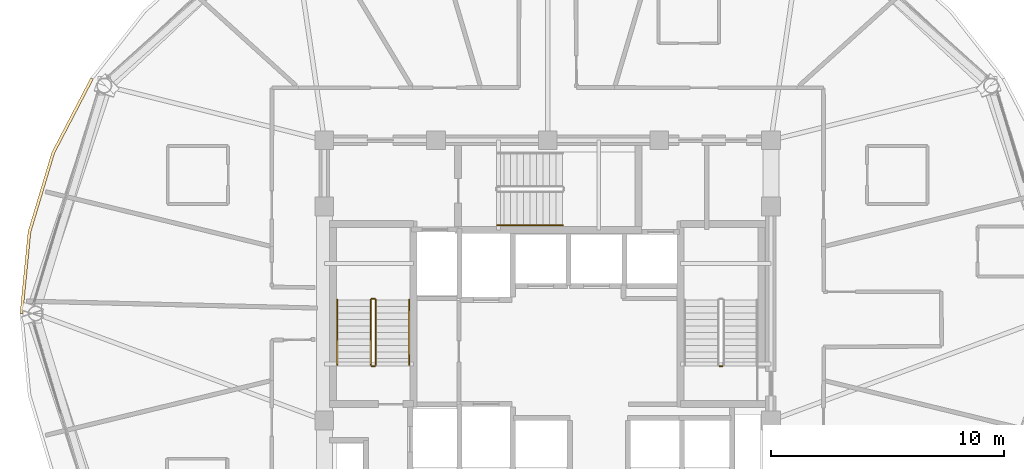
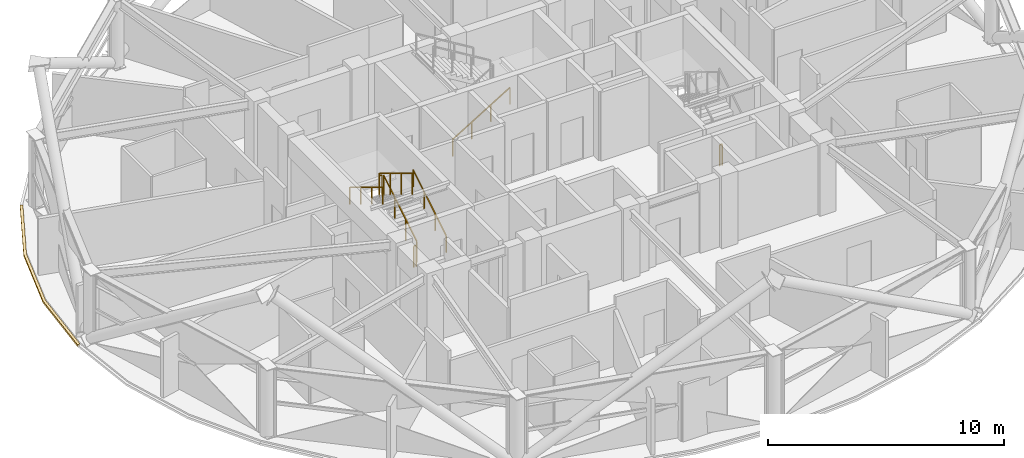
# One storey, part 27 of 29: 8 railings, 1 covering.
"""IFC4 building model written with IfcOpenShell, lengths in metres."""

from ifc_helpers import new_model, si_unit, direction, frame, origin, origin_2d, place, context, subcontext, project, spatial, polyline, rectangle, outline, extrude, material, layer, layer_set, type_object, element, save


model = new_model("IFC4")

# Units and contexts
model_context = context("Model", 3, precision=1e-05, world=origin(), true_north=direction((0.0, 1.0)))
body_context = subcontext(model_context, "Body", "Model", "MODEL_VIEW")
ifc_project = project(units=[si_unit("LENGTHUNIT", "METRE"), si_unit("AREAUNIT", "SQUARE_METRE"), si_unit("VOLUMEUNIT", "CUBIC_METRE"), si_unit("PLANEANGLEUNIT", "RADIAN"), si_unit("MASSUNIT", "GRAM", prefix="KILO")], contexts=[model_context])

# Site, building, storey
site_placement = place(None, origin())
site = spatial("IfcSite", under=ifc_project, at=site_placement, CompositionType="ELEMENT")
building_placement = place(site_placement, origin())
building = spatial("IfcBuilding", under=site, at=building_placement, Name="Vantalir Tower", CompositionType="ELEMENT")
storey_placement = place(building_placement, frame((0.0, 0.0, 227.39990234375)))
storey = spatial("IfcBuildingStorey", under=building, at=storey_placement, Name="L57", CompositionType="ELEMENT", Elevation=227.39990234375)

# Covering
ifc_material_1 = material(Name="Anodised champagne aluminium sill fascia", Category="aluminium")
ifc_layer = layer(ifc_material_1, 0.125)
ifc_layer_set = layer_set([ifc_layer], Name="Anodised champagne aluminium sill fascia")
covering_type = type_object("IfcCoveringType", Name="COV-SLAB-FASCIA-125", PredefinedType="CLADDING", material=ifc_layer_set)
covering_placement = place(storey_placement, frame((0.0, 0.0, -0.179931640625)))
element("IfcCovering", 1, at=covering_placement, inside=storey, type_object=covering_type, Name="L57 Perimeter Slab-Edge Sill Fascia 06", PredefinedType="CLADDING", context=body_context, shape_type="SweptSolid", body=[
    extrude(outline(polyline([(11.85205078125, 35.135009765625), (10.179931640625, 31.93310546875), (9.156982421875, 28.52001953125), (8.81201171875, 25.0), (8.93701171875, 25.0), (9.280029296875, 28.498046875), (10.298095703125, 31.889892578125), (11.9599609375, 35.072998046875), (11.85205078125, 35.135009765625)])), origin(), (0.0, 0.0, 1.0), 0.10498046875),
])

# Railings
ifc_material_2 = material(Name="Anodised aluminium and stainless steel guard", Category="steel")
railing_type_1 = type_object("IfcRailingType", Name="RAL-GUARD-1120", PredefinedType="GUARDRAIL", material=ifc_material_2)
railing_1_placement = place(storey_placement, frame((24.110107421875, 22.7900390625, 0.170654296875)))
element("IfcRailing", 2, at=railing_1_placement, inside=storey, type_object=railing_type_1, Name="L57 ST1 stair guard 1", PredefinedType="GUARDRAIL", context=body_context, shape_type="SweptSolid", body=[
    extrude(rectangle(XDim=0.048095703125, YDim=0.048095703125, at=origin_2d()), frame((0.0, 0.0, 1.09619140625), z_axis=(0.0, 0.854202870247, 0.519939858505), x_axis=(-1.0, 0.0, 0.0)), (0.0, 0.0, 1.0), 3.278076171875),
    extrude(rectangle(XDim=0.0419921875, YDim=0.0419921875, at=origin_2d()), origin(), (0.0, 0.0, 1.0), 1.072021484375),
    extrude(rectangle(XDim=0.0419921875, YDim=0.0419921875, at=origin_2d()), frame((0.0, 0.933349609375, 0.568115234375)), (0.0, 0.0, 1.0), 1.072021484375),
    extrude(rectangle(XDim=0.0419921875, YDim=0.0419921875, at=origin_2d()), frame((0.0, 1.86669921875, 1.13623046875)), (0.0, 0.0, 1.0), 1.072021484375),
    extrude(rectangle(XDim=0.0419921875, YDim=0.0419921875, at=origin_2d()), frame((0.0, 2.800048828125, 1.704345703125)), (0.0, 0.0, 1.0), 1.072021484375),
])
railing_2_placement = place(storey_placement, frame((24.06005859375, 25.639892578125, 1.875)))
element("IfcRailing", 3, at=railing_2_placement, inside=storey, type_object=railing_type_1, Name="L57 ST1 stair guard 2", PredefinedType="GUARDRAIL", context=body_context, shape_type="SweptSolid", body=[
    extrude(rectangle(XDim=0.048095703125, YDim=0.048095703125, at=origin_2d()), frame((0.0, 0.0, 1.09619140625), z_axis=(-1.0, 0.0, 0.0), x_axis=(0.0, -1.0, 0.0)), (0.0, 0.0, 1.0), 0.1201171875),
    extrude(rectangle(XDim=0.0419921875, YDim=0.0419921875, at=origin_2d()), origin(), (0.0, 0.0, 1.0), 1.072021484375),
    extrude(rectangle(XDim=0.0419921875, YDim=0.0419921875, at=origin_2d()), frame((-0.1201171875, 0.0, 0.0)), (0.0, 0.0, 1.0), 1.072021484375),
])
railing_3_placement = place(storey_placement, frame((23.889892578125, 25.590087890625, 2.045654296875)))
element("IfcRailing", 4, at=railing_3_placement, inside=storey, type_object=railing_type_1, Name="L57 ST1 stair guard 3", PredefinedType="GUARDRAIL", context=body_context, shape_type="SweptSolid", body=[
    extrude(rectangle(XDim=0.048095703125, YDim=0.048095703125, at=origin_2d()), frame((0.0, 0.0, 1.09619140625), z_axis=(0.0, -0.854202870247, 0.519939858505), x_axis=(1.0, 0.0, 0.0)), (0.0, 0.0, 1.0), 3.278076171875),
    extrude(rectangle(XDim=0.0419921875, YDim=0.0419921875, at=origin_2d()), origin(), (0.0, 0.0, 1.0), 1.072021484375),
    extrude(rectangle(XDim=0.0419921875, YDim=0.0419921875, at=origin_2d()), frame((0.0, -0.933349609375, 0.568115234375)), (0.0, 0.0, 1.0), 1.072021484375),
    extrude(rectangle(XDim=0.0419921875, YDim=0.0419921875, at=origin_2d()), frame((0.0, -1.86669921875, 1.13623046875)), (0.0, 0.0, 1.0), 1.072021484375),
    extrude(rectangle(XDim=0.0419921875, YDim=0.0419921875, at=origin_2d()), frame((0.0, -2.800048828125, 1.704345703125)), (0.0, 0.0, 1.0), 1.072021484375),
])
for number, where, name in (
    (5, (24.06005859375, 22.739990234375, 0.0), "L57 ST1 stair guard 4"),
    (6, (39.010009765625, 22.739990234375, 0.0), "L57 ST2 stair guard 4"),
):
    element("IfcRailing", number, at=place(storey_placement, frame(where)), inside=storey, type_object=railing_type_1, Name=name, PredefinedType="GUARDRAIL", context=body_context, shape_type="SweptSolid", body=[
        extrude(rectangle(XDim=0.048095703125, YDim=0.048095703125, at=origin_2d()), frame((0.0, 0.0, 1.09619140625), z_axis=(-1.0, 0.0, 0.0), x_axis=(0.0, -1.0, 0.0)), (0.0, 0.0, 1.0), 0.1201171875),
        extrude(rectangle(XDim=0.0419921875, YDim=0.0419921875, at=origin_2d()), origin(), (0.0, 0.0, 1.0), 1.072021484375),
        extrude(rectangle(XDim=0.0419921875, YDim=0.0419921875, at=origin_2d()), frame((-0.1201171875, 0.0, 0.0)), (0.0, 0.0, 1.0), 1.072021484375),
    ])
ifc_material_3 = material(Name="Brushed stainless steel tubular handrail", Category="steel")
railing_type_2 = type_object("IfcRailingType", Name="RAL-HANDRAIL-900", PredefinedType="HANDRAIL", material=ifc_material_3)
railing_4_placement = place(storey_placement, frame((25.550048828125, 22.7900390625, 0.170654296875)))
element("IfcRailing", 7, at=railing_4_placement, inside=storey, type_object=railing_type_2, Name="L57 ST1 stair handrail 1", PredefinedType="HANDRAIL", context=body_context, shape_type="SweptSolid", body=[
    extrude(rectangle(XDim=0.048095703125, YDim=0.048095703125, at=origin_2d()), frame((0.0, 0.0, 0.8759765625), z_axis=(0.0, 0.854202870247, 0.519939858505), x_axis=(-1.0, 0.0, 0.0)), (0.0, 0.0, 1.0), 3.278076171875),
    extrude(rectangle(XDim=0.0419921875, YDim=0.0419921875, at=origin_2d()), origin(), (0.0, 0.0, 1.0), 0.851806640625),
    extrude(rectangle(XDim=0.0419921875, YDim=0.0419921875, at=origin_2d()), frame((0.0, 0.933349609375, 0.568115234375)), (0.0, 0.0, 1.0), 0.851806640625),
    extrude(rectangle(XDim=0.0419921875, YDim=0.0419921875, at=origin_2d()), frame((0.0, 1.86669921875, 1.13623046875)), (0.0, 0.0, 1.0), 0.851806640625),
    extrude(rectangle(XDim=0.0419921875, YDim=0.0419921875, at=origin_2d()), frame((0.0, 2.800048828125, 1.704345703125)), (0.0, 0.0, 1.0), 0.851806640625),
])
railing_5_placement = place(storey_placement, frame((22.449951171875, 25.590087890625, 2.045654296875)))
element("IfcRailing", 8, at=railing_5_placement, inside=storey, type_object=railing_type_2, Name="L57 ST1 stair handrail 2", PredefinedType="HANDRAIL", context=body_context, shape_type="SweptSolid", body=[
    extrude(rectangle(XDim=0.048095703125, YDim=0.048095703125, at=origin_2d()), frame((0.0, 0.0, 0.8759765625), z_axis=(0.0, -0.854202870247, 0.519939858505), x_axis=(1.0, 0.0, 0.0)), (0.0, 0.0, 1.0), 3.278076171875),
    extrude(rectangle(XDim=0.0419921875, YDim=0.0419921875, at=origin_2d()), origin(), (0.0, 0.0, 1.0), 0.851806640625),
    extrude(rectangle(XDim=0.0419921875, YDim=0.0419921875, at=origin_2d()), frame((0.0, -0.933349609375, 0.568115234375)), (0.0, 0.0, 1.0), 0.851806640625),
    extrude(rectangle(XDim=0.0419921875, YDim=0.0419921875, at=origin_2d()), frame((0.0, -1.86669921875, 1.13623046875)), (0.0, 0.0, 1.0), 0.851806640625),
    extrude(rectangle(XDim=0.0419921875, YDim=0.0419921875, at=origin_2d()), frame((0.0, -2.800048828125, 1.704345703125)), (0.0, 0.0, 1.0), 0.851806640625),
])
railing_6_placement = place(storey_placement, frame((29.340087890625, 28.800048828125, 0.170654296875)))
element("IfcRailing", 9, at=railing_6_placement, inside=storey, type_object=railing_type_2, Name="L57 ST3 stair handrail 1", PredefinedType="HANDRAIL", context=body_context, shape_type="SweptSolid", body=[
    extrude(rectangle(XDim=0.048095703125, YDim=0.048095703125, at=origin_2d()), frame((0.0, 0.0, 0.8759765625), z_axis=(0.854182733786, 0.0, 0.519972939009), x_axis=(0.0, 1.0, 0.0)), (0.0, 0.0, 1.0), 3.27783203125),
    extrude(rectangle(XDim=0.0419921875, YDim=0.0419921875, at=origin_2d()), origin(), (0.0, 0.0, 1.0), 0.851806640625),
    extrude(rectangle(XDim=0.0419921875, YDim=0.0419921875, at=origin_2d()), frame((0.933349609375, 0.0, 0.568115234375)), (0.0, 0.0, 1.0), 0.851806640625),
    extrude(rectangle(XDim=0.0419921875, YDim=0.0419921875, at=origin_2d()), frame((1.866455078125, 0.0, 1.13623046875)), (0.0, 0.0, 1.0), 0.851806640625),
    extrude(rectangle(XDim=0.0419921875, YDim=0.0419921875, at=origin_2d()), frame((2.7998046875, 0.0, 1.704345703125)), (0.0, 0.0, 1.0), 0.851806640625),
])

save(model, "model.ifc")
